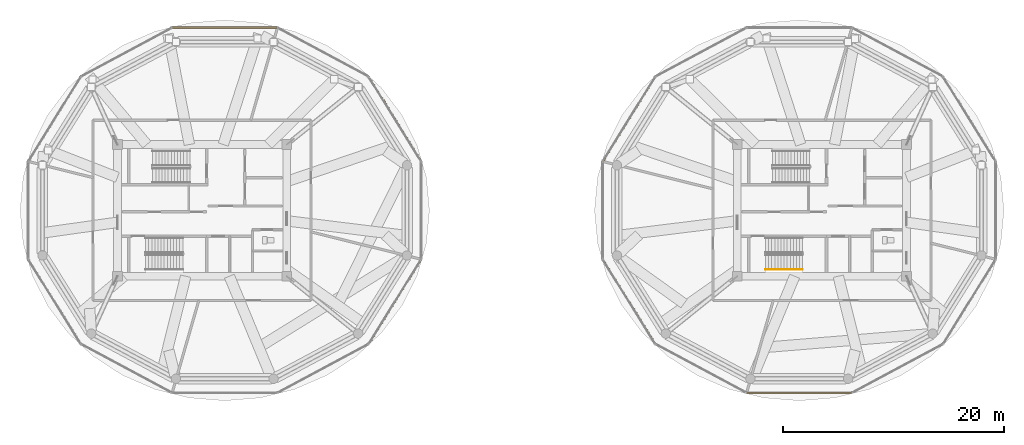
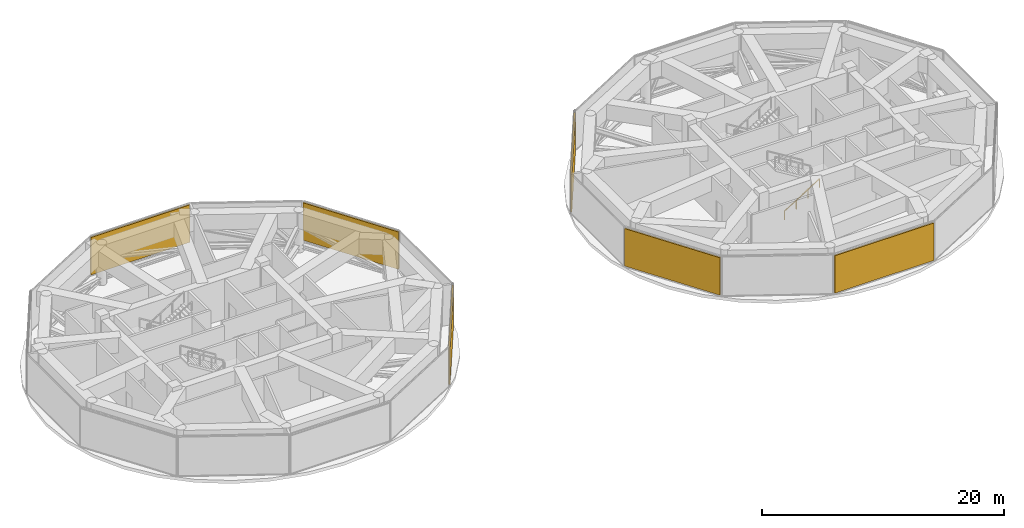
# One storey, part 21 of 23: 6 shading devices, 1 railing.
"""IFC4 building model written with IfcOpenShell, lengths in metres."""

from ifc_helpers import new_model, si_unit, direction, frame, origin, origin_2d, place, context, subcontext, project, spatial, rectangle, extrude, source, transform, mapped, material, type_object, type_shapes, element, save


model = new_model("IFC4")

# Units and contexts
model_context = context("Model", 3, precision=1e-05, world=origin(), true_north=direction((0.0, 1.0)))
body_context = subcontext(model_context, "Body", "Model", "MODEL_VIEW")
ifc_project = project(units=[si_unit("LENGTHUNIT", "METRE"), si_unit("AREAUNIT", "SQUARE_METRE"), si_unit("VOLUMEUNIT", "CUBIC_METRE"), si_unit("PLANEANGLEUNIT", "RADIAN"), si_unit("MASSUNIT", "GRAM", prefix="KILO")], contexts=[model_context])

# Site, building, storey
site_placement = place(None, origin())
site = spatial("IfcSite", under=ifc_project, at=site_placement, CompositionType="ELEMENT")
building_placement = place(site_placement, origin())
building = spatial("IfcBuilding", under=site, at=building_placement, Name="Norrkilde Senior Care Towers", CompositionType="ELEMENT")
storey_placement = place(building_placement, frame((0.0, 0.0, 129.800048828125)))
storey = spatial("IfcBuildingStorey", under=building, at=storey_placement, Name="L40", CompositionType="ELEMENT", Elevation=129.800048828125)

# Railing
ifc_material_1 = material(Name="Nordic Ash Timber", Category="wood")
railing_type = type_object("IfcRailingType", Name="Wall and Stair Handrail 900", PredefinedType="HANDRAIL", material=ifc_material_1)
railing_placement = place(storey_placement, frame((22.89990234375, -5.35009765625, 0.173095703125)))
element("IfcRailing", 1, at=railing_placement, inside=storey, type_object=railing_type, Name="L40 ST-E2 stair handrail 1", PredefinedType="HANDRAIL", context=body_context, shape_type="SweptSolid", body=[
    extrude(rectangle(XDim=0.048095703125, YDim=0.048095703125, at=origin_2d()), frame((0.0, 0.0, 0.8759765625), z_axis=(0.850623216509, 0.0, 0.525775754039), x_axis=(0.0, 1.0, 0.0)), (0.0, 0.0, 1.0), 3.9501953125),
    extrude(rectangle(XDim=0.0419921875, YDim=0.0419921875, at=origin_2d()), origin(), (0.0, 0.0, 1.0), 0.849853515625),
    extrude(rectangle(XDim=0.0419921875, YDim=0.0419921875, at=origin_2d()), frame((1.1201171875, 0.0, 0.6923828125)), (0.0, 0.0, 1.0), 0.849853515625),
    extrude(rectangle(XDim=0.0419921875, YDim=0.0419921875, at=origin_2d()), frame((2.239990234375, 0.0, 1.384521484375)), (0.0, 0.0, 1.0), 0.849853515625),
    extrude(rectangle(XDim=0.0419921875, YDim=0.0419921875, at=origin_2d()), frame((3.360107421875, 0.0, 2.076904296875)), (0.0, 0.0, 1.0), 0.849853515625),
])

# Shading devices
ifc_material_2 = material(Name="Anodised Aluminium", Category="aluminium")
shading_device_type = type_object("IfcShadingDeviceType", Name="Plant and Crown Acoustic Louvre Screen", PredefinedType="JALOUSIE", material=ifc_material_2)
shared_shape_1 = source(origin(), body_context, "Body", "SweptSolid", [
    extrude(rectangle(XDim=8.93408203125, YDim=0.14990234375, at=origin_2d()), origin(), (0.0, 0.0, 1.0), 3.780029296875),
])
for number, where, z_axis, x_axis, name in (
    (2, (-10.574951171875, 8.2490234375, 0.14990234375), (0.0, 0.0, 1.0), (0.527733228002, -0.849410171862, 0.0), "L40 Plant Acoustic Louvre Screen W-00"),
    (3, (-10.574951171875, -8.2490234375, 0.14990234375), (0.0, 0.0, 1.0), (-0.527733228002, -0.849410171862, 0.0), "L40 Plant Acoustic Louvre Screen W-10"),
    (4, (10.574951171875, 8.2490234375, 0.14990234375), (0.0, 0.0, 1.0), (0.527733228002, 0.849410171862, 0.0), "L40 Plant Acoustic Louvre Screen E-04"),
    (5, (10.574951171875, -8.2490234375, 0.14990234375), (0.0, 0.0, 1.0), (-0.527733228002, 0.849410171862, 0.0), "L40 Plant Acoustic Louvre Screen E-06"),
):
    element("IfcShadingDevice", number, at=place(storey_placement, frame(where, z_axis=z_axis, x_axis=x_axis)), inside=storey, type_object=shading_device_type, Name=name, PredefinedType="JALOUSIE", context=body_context, shape_type="MappedRepresentation", body=[
        mapped(shared_shape_1, transform((0.0, 0.0, 0.0), x_axis=(1.0, 0.0, 0.0), y_axis=(0.0, 1.0, 0.0), z_axis=(0.0, 0.0, 1.0), scale=1.0)),
    ])
shared_shape_2 = source(origin(), body_context, "Body", "SweptSolid", [
    extrude(rectangle(XDim=9.43408203125, YDim=0.14990234375, at=origin_2d()), origin(), (0.0, 0.0, 1.0), 3.780029296875),
])
type_shapes(shading_device_type, [shared_shape_1, shared_shape_2])
for number, where, z_axis, x_axis, name in (
    (6, (-25.949951171875, 16.498046875, 0.14990234375), (0.0, 0.0, 1.0), (1.0, 0.0, 0.0), "L40 Plant Acoustic Louvre Screen W-02"),
    (7, (25.949951171875, -16.498046875, 0.14990234375), (0.0, 0.0, 1.0), (-1.0, 0.0, 0.0), "L40 Plant Acoustic Louvre Screen E-08"),
):
    element("IfcShadingDevice", number, at=place(storey_placement, frame(where, z_axis=z_axis, x_axis=x_axis)), inside=storey, type_object=shading_device_type, Name=name, PredefinedType="JALOUSIE", context=body_context, shape_type="MappedRepresentation", body=[
        mapped(shared_shape_2, transform((0.0, 0.0, 0.0), x_axis=(1.0, 0.0, 0.0), y_axis=(0.0, 1.0, 0.0), z_axis=(0.0, 0.0, 1.0), scale=1.0)),
    ])

save(model, "model.ifc")
